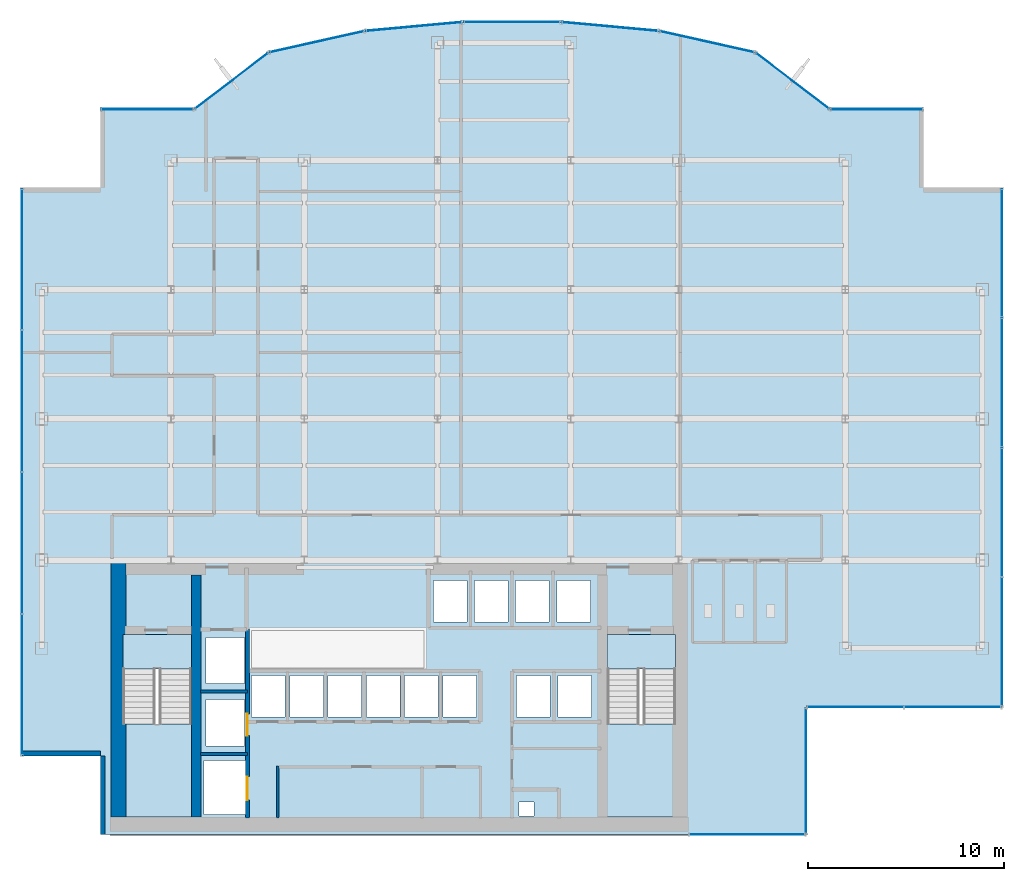
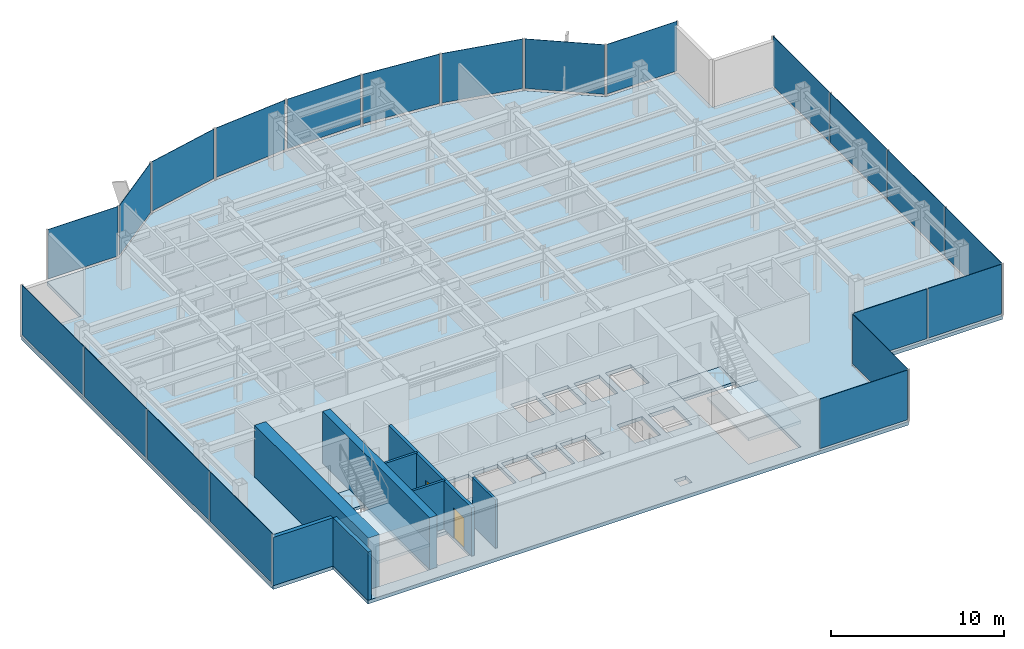
# One storey, part 19 of 25: 21 plates, 8 walls, 5 slabs, 2 doors, 2 openings, 16 elements without a shape of their own.
"""IFC4 building model written with IfcOpenShell, lengths in metres."""

from ifc_helpers import new_model, si_unit, derived_unit, direction, frame, frame_2d, origin, origin_2d, place, context, subcontext, project, spatial, polyline, rectangle, outline, extrude, source, transform, mapped, material, layer, layer_set, type_object, element, fill, aggregate, save


model = new_model("IFC4")

# Units and contexts
model_context = context("Model", 3, precision=1e-05, world=origin(), true_north=direction((0.0, 1.0)))
body_context = subcontext(model_context, "Body", "Model", "MODEL_VIEW")
ifc_project = project(units=[si_unit("LENGTHUNIT", "METRE"), si_unit("AREAUNIT", "SQUARE_METRE"), si_unit("VOLUMEUNIT", "CUBIC_METRE"), si_unit("PLANEANGLEUNIT", "RADIAN"), si_unit("MASSUNIT", "GRAM", prefix="KILO"), derived_unit("THERMALTRANSMITTANCEUNIT", [(si_unit("POWERUNIT", "WATT"), 1), (si_unit("LENGTHUNIT", "METRE"), -2), (si_unit("THERMODYNAMICTEMPERATUREUNIT", "KELVIN"), -1)])], contexts=[model_context])

# Site, building, storey
site_placement = place(None, origin())
site = spatial("IfcSite", under=ifc_project, at=site_placement, CompositionType="ELEMENT")
building_placement = place(site_placement, origin())
building = spatial("IfcBuilding", under=site, at=building_placement, Name="Skarnbrae Concourse Arena and Tower", CompositionType="ELEMENT")
storey_placement = place(building_placement, frame((0.0, 0.0, 155.199951171875)))
storey = spatial("IfcBuildingStorey", under=building, at=storey_placement, Name="L39", CompositionType="ELEMENT", Elevation=155.199951171875)

# Stair, slab
ifc_material_1 = material(Name="Concrete 40 MPa (C40/50)", Category="concrete")
stair_type = type_object("IfcStairType", Name="STAIR-DOGLEG-1650", PredefinedType="HALF_TURN_STAIR", material=ifc_material_1)
stair_1_placement = place(storey_placement, origin())
stair_1 = element("IfcStair", 1, at=stair_1_placement, inside=storey, type_object=stair_type, Name="L39 Protected Exit Stair ST-1", PredefinedType="HALF_TURN_STAIR")
ifc_layer_1 = layer(ifc_material_1, 0.199951171875)
ifc_layer_set_1 = layer_set([ifc_layer_1], Name="Concrete 40 MPa (C40/50)")
slab_type_1 = type_object("IfcSlabType", Name="SLAB-LANDING-200", PredefinedType="LANDING", material=ifc_layer_set_1)
slab_1_placement = place(storey_placement, frame((0.0, 0.0, 1.625)))
slab_1 = element("IfcSlab", 2, at=slab_1_placement, type_object=slab_type_1, Name="ST-1 landing 1", PredefinedType="LANDING", context=body_context, shape_type="SweptSolid", body=[
    extrude(outline(polyline([(5.14990234375, 5.64990234375), (5.14990234375, 0.89990234375), (8.64990234375, 0.89990234375), (8.64990234375, 5.64990234375), (5.14990234375, 5.64990234375)])), origin(), (0.0, 0.0, 1.0), 0.199951171875),
])
aggregate(stair_1, [slab_1])

stair_2_placement = place(storey_placement, origin())
stair_2 = element("IfcStair", 3, at=stair_2_placement, inside=storey, type_object=stair_type, Name="L39 Protected Exit Stair ST-2", PredefinedType="HALF_TURN_STAIR")
slab_2_placement = place(storey_placement, frame((0.0, 0.0, 1.625)))
slab_2 = element("IfcSlab", 4, at=slab_2_placement, type_object=slab_type_1, Name="ST-2 landing 1", PredefinedType="LANDING", context=body_context, shape_type="SweptSolid", body=[
    extrude(outline(polyline([(29.85009765625, 5.64990234375), (29.85009765625, 0.89990234375), (33.35009765625, 0.89990234375), (33.35009765625, 5.64990234375), (29.85009765625, 5.64990234375)])), origin(), (0.0, 0.0, 1.0), 0.199951171875),
])
aggregate(stair_2, [slab_2])

# Slabs
slab_3_placement = place(storey_placement, frame((0.0, 0.0, -0.199951171875)))
element("IfcSlab", 5, at=slab_3_placement, inside=storey, type_object=slab_type_1, Name="L39 Core stair ST1 floor landing", PredefinedType="LANDING", context=body_context, shape_type="SweptSolid", body=[
    extrude(outline(polyline([(5.14990234375, 10.199951171875), (5.14990234375, 8.449951171875), (8.64990234375, 8.449951171875), (8.64990234375, 10.199951171875), (5.14990234375, 10.199951171875)])), origin(), (0.0, 0.0, 1.0), 0.199951171875),
])
slab_4_placement = place(storey_placement, frame((0.0, 0.0, -0.199951171875)))
element("IfcSlab", 6, at=slab_4_placement, inside=storey, type_object=slab_type_1, Name="L39 Core stair ST2 floor landing", PredefinedType="LANDING", context=body_context, shape_type="SweptSolid", body=[
    extrude(outline(polyline([(29.85009765625, 10.199951171875), (29.85009765625, 8.449951171875), (33.35009765625, 8.449951171875), (33.35009765625, 10.199951171875), (29.85009765625, 10.199951171875)])), origin(), (0.0, 0.0, 1.0), 0.199951171875),
])
ifc_layer_2 = layer(ifc_material_1, 0.25)
ifc_layer_set_2 = layer_set([ifc_layer_2], Name="Concrete 40 MPa (C40/50)")
slab_type_2 = type_object("IfcSlabType", Name="SLAB-TOWER-250", PredefinedType="FLOOR", material=ifc_layer_set_2)
slab_5_placement = place(storey_placement, frame((0.0, 0.0, -0.25)))
element("IfcSlab", 7, at=slab_5_placement, inside=storey, type_object=slab_type_2, Name="L39 Structural floor slab", PredefinedType="FLOOR", context=body_context, shape_type="SweptSolid", body=[
    extrude(outline(polyline([(4.0, 0.0), (40.0, 0.0), (40.0, 6.5), (50.0, 6.5), (50.0, 33.0), (46.0, 33.0), (46.0, 37.0), (41.199951171875, 37.0), (37.409423828125, 39.892578125), (32.51220703125, 40.98681640625), (27.51123046875, 41.445556640625), (22.48876953125, 41.445556640625), (17.48779296875, 40.98681640625), (12.590576171875, 39.892578125), (8.800048828125, 37.0), (4.0, 37.0), (4.0, 33.0), (0.0, 33.0), (0.0, 4.0), (4.0, 4.0), (4.0, 0.0)]), holes=[polyline([(9.294921875, 3.780029296875), (11.455078125, 3.780029296875), (11.455078125, 1.02001953125), (9.294921875, 1.02001953125), (9.294921875, 3.780029296875)]), polyline([(8.64990234375, 10.199951171875), (8.64990234375, 0.89990234375), (5.14990234375, 0.89990234375), (5.14990234375, 10.199951171875), (8.64990234375, 10.199951171875)]), polyline([(9.39501953125, 6.8798828125), (11.35498046875, 6.8798828125), (11.35498046875, 4.52001953125), (9.39501953125, 4.52001953125), (9.39501953125, 6.8798828125)]), polyline([(11.719970703125, 8.10498046875), (13.429931640625, 8.10498046875), (13.429931640625, 5.9951171875), (11.719970703125, 5.9951171875), (11.719970703125, 8.10498046875)]), polyline([(13.669921875, 8.10498046875), (15.3798828125, 8.10498046875), (15.3798828125, 5.9951171875), (13.669921875, 5.9951171875), (13.669921875, 8.10498046875)]), polyline([(15.6201171875, 8.10498046875), (17.330078125, 8.10498046875), (17.330078125, 5.9951171875), (15.6201171875, 5.9951171875), (15.6201171875, 8.10498046875)]), polyline([(17.570068359375, 8.10498046875), (19.280029296875, 8.10498046875), (19.280029296875, 5.9951171875), (17.570068359375, 5.9951171875), (17.570068359375, 8.10498046875)]), polyline([(21.22998046875, 8.10498046875), (21.22998046875, 5.9951171875), (19.52001953125, 5.9951171875), (19.52001953125, 8.10498046875), (21.22998046875, 8.10498046875)]), polyline([(11.35498046875, 10.054931640625), (11.35498046875, 7.695068359375), (9.39501953125, 7.695068359375), (9.39501953125, 10.054931640625), (11.35498046875, 10.054931640625)]), polyline([(25.35009765625, 1.669921875), (26.1201171875, 1.669921875), (26.1201171875, 0.949951171875), (25.35009765625, 0.949951171875), (25.35009765625, 1.669921875)]), polyline([(33.35009765625, 10.199951171875), (33.35009765625, 0.89990234375), (29.85009765625, 0.89990234375), (29.85009765625, 10.199951171875), (33.35009765625, 10.199951171875)]), polyline([(21.469970703125, 8.10498046875), (23.179931640625, 8.10498046875), (23.179931640625, 5.9951171875), (21.469970703125, 5.9951171875), (21.469970703125, 8.10498046875)]), polyline([(25.235107421875, 8.10498046875), (26.945068359375, 8.10498046875), (26.945068359375, 5.9951171875), (25.235107421875, 5.9951171875), (25.235107421875, 8.10498046875)]), polyline([(27.3349609375, 8.10498046875), (29.044921875, 8.10498046875), (29.044921875, 5.9951171875), (27.3349609375, 5.9951171875), (27.3349609375, 8.10498046875)]), polyline([(20.985107421875, 12.955078125), (22.695068359375, 12.955078125), (22.695068359375, 10.844970703125), (20.985107421875, 10.844970703125), (20.985107421875, 12.955078125)]), polyline([(23.0849609375, 12.955078125), (24.794921875, 12.955078125), (24.794921875, 10.844970703125), (23.0849609375, 10.844970703125), (23.0849609375, 12.955078125)]), polyline([(26.89501953125, 12.955078125), (26.89501953125, 10.844970703125), (25.18505859375, 10.844970703125), (25.18505859375, 12.955078125), (26.89501953125, 12.955078125)]), polyline([(28.9951171875, 12.955078125), (28.9951171875, 10.844970703125), (27.284912109375, 10.844970703125), (27.284912109375, 12.955078125), (28.9951171875, 12.955078125)])]), origin(), (0.0, 0.0, 1.0), 0.25),
])

# Curtain wall, plates
ifc_material_2 = material(Name="Bronze anodised aluminium 6063-T6", Category="aluminium")
curtain_wall_type_1 = type_object("IfcCurtainWallType", Name="CW-SYS-04-MIDZONE", PredefinedType="USERDEFINED", material=ifc_material_2)
curtain_wall_1_placement = place(storey_placement, origin())
curtain_wall_1 = element("IfcCurtainWall", 8, at=curtain_wall_1_placement, inside=storey, type_object=curtain_wall_type_1, Name="L39 Unitised curtain wall CW-L39-E03", ObjectType="UNITISED CURTAIN WALL", PredefinedType="USERDEFINED")
ifc_material_3 = material(Name="Low-E triple insulating glass", Category="glass")
ifc_layer_3 = layer(ifc_material_3, 0.031982421875)
ifc_layer_set_3 = layer_set([ifc_layer_3], Name="Low-E triple insulating glass")
plate_type_1 = type_object("IfcPlateType", Name="CWP-CW-04", PredefinedType="CURTAIN_PANEL", material=ifc_layer_set_3)
shared_shape_1 = source(origin(), body_context, "Body", "SweptSolid", [
    extrude(rectangle(XDim=4.887451171875, YDim=0.031982421875, at=origin_2d()), origin(), (0.0, 0.0, 1.0), 3.489990234375),
])
plate_1_placement = place(storey_placement, frame((42.518798828125, 6.5, 0.16015625), z_axis=(0.0, 0.0, 1.0), x_axis=(1.0, 0.0, 0.0)))
plate_1 = element("IfcPlate", 9, at=plate_1_placement, type_object=plate_type_1, Name="CW-L39-E03 Low-E Glazing Panel 1", PredefinedType="CURTAIN_PANEL", context=body_context, shape_type="MappedRepresentation", body=[
    mapped(shared_shape_1, transform((0.0, 0.0, 0.0))),
])
plate_2_placement = place(storey_placement, frame((47.481201171875, 6.5, 0.16015625), z_axis=(0.0, 0.0, 1.0), x_axis=(1.0, 0.0, 0.0)))
plate_2 = element("IfcPlate", 10, at=plate_2_placement, type_object=plate_type_1, Name="CW-L39-E03 Low-E Glazing Panel 2", PredefinedType="CURTAIN_PANEL", context=body_context, shape_type="MappedRepresentation", body=[
    mapped(shared_shape_1, transform((0.0, 0.0, 0.0))),
])
aggregate(curtain_wall_1, [plate_1, plate_2])

# Curtain wall, plate
curtain_wall_2_placement = place(storey_placement, origin())
curtain_wall_2 = element("IfcCurtainWall", 11, at=curtain_wall_2_placement, inside=storey, type_object=curtain_wall_type_1, Name="L39 Unitised curtain wall CW-L39-SE-SPINE", ObjectType="UNITISED CURTAIN WALL", PredefinedType="USERDEFINED")
shared_shape_2 = source(origin(), body_context, "Body", "SweptSolid", [
    extrude(rectangle(XDim=5.85009765625, YDim=0.031982421875, at=origin_2d()), origin(), (0.0, 0.0, 1.0), 3.489990234375),
])
plate_3_placement = place(storey_placement, frame((37.0, 0.0, 0.16015625), z_axis=(0.0, 0.0, 1.0), x_axis=(1.0, 0.0, 0.0)))
plate_3 = element("IfcPlate", 12, at=plate_3_placement, type_object=plate_type_1, Name="CW-L39-SE-SPINE Low-E Glazing Panel 1", PredefinedType="CURTAIN_PANEL", context=body_context, shape_type="MappedRepresentation", body=[
    mapped(shared_shape_2, transform((0.0, 0.0, 0.0))),
])
aggregate(curtain_wall_2, [plate_3])

curtain_wall_3_placement = place(storey_placement, origin())
curtain_wall_3 = element("IfcCurtainWall", 13, at=curtain_wall_3_placement, inside=storey, type_object=curtain_wall_type_1, Name="L39 Unitised curtain wall CW-L39-E02", ObjectType="UNITISED CURTAIN WALL", PredefinedType="USERDEFINED")
shared_shape_3 = source(origin(), body_context, "Body", "SweptSolid", [
    extrude(rectangle(XDim=6.35009765625, YDim=0.031982421875, at=origin_2d()), origin(), (0.0, 0.0, 1.0), 3.489990234375),
])
plate_4_placement = place(storey_placement, frame((40.0, 3.25, 0.16015625), z_axis=(0.0, 0.0, 1.0), x_axis=(0.0, 1.0, 0.0)))
plate_4 = element("IfcPlate", 14, at=plate_4_placement, type_object=plate_type_1, Name="CW-L39-E02 Low-E Glazing Panel 1", PredefinedType="CURTAIN_PANEL", context=body_context, shape_type="MappedRepresentation", body=[
    mapped(shared_shape_3, transform((0.0, 0.0, 0.0))),
])
aggregate(curtain_wall_3, [plate_4])

curtain_wall_4_placement = place(storey_placement, origin())
curtain_wall_4 = element("IfcCurtainWall", 15, at=curtain_wall_4_placement, inside=storey, type_object=curtain_wall_type_1, Name="L39 Unitised curtain wall CW-L39-E07", ObjectType="UNITISED CURTAIN WALL", PredefinedType="USERDEFINED")
shared_shape_4 = source(origin(), body_context, "Body", "SweptSolid", [
    extrude(rectangle(XDim=4.64990234375, YDim=0.031982421875, at=origin_2d()), origin(), (0.0, 0.0, 1.0), 3.489990234375),
])
plate_5_placement = place(storey_placement, frame((43.60009765625, 37.0, 0.16015625), z_axis=(0.0, 0.0, 1.0), x_axis=(-1.0, 0.0, 0.0)))
plate_5 = element("IfcPlate", 16, at=plate_5_placement, type_object=plate_type_1, Name="CW-L39-E07 Low-E Glazing Panel 1", PredefinedType="CURTAIN_PANEL", context=body_context, shape_type="MappedRepresentation", body=[
    mapped(shared_shape_4, transform((0.0, 0.0, 0.0))),
])
aggregate(curtain_wall_4, [plate_5])

curtain_wall_5_placement = place(storey_placement, origin())
curtain_wall_5 = element("IfcCurtainWall", 17, at=curtain_wall_5_placement, inside=storey, type_object=curtain_wall_type_1, Name="L39 Unitised curtain wall CW-L39-E15", ObjectType="UNITISED CURTAIN WALL", PredefinedType="USERDEFINED")
plate_6_placement = place(storey_placement, frame((6.39990234375, 37.0, 0.16015625), z_axis=(0.0, 0.0, 1.0), x_axis=(-1.0, 0.0, 0.0)))
plate_6 = element("IfcPlate", 18, at=plate_6_placement, type_object=plate_type_1, Name="CW-L39-E15 Low-E Glazing Panel 1", PredefinedType="CURTAIN_PANEL", context=body_context, shape_type="MappedRepresentation", body=[
    mapped(shared_shape_4, transform((0.0, 0.0, 0.0))),
])
aggregate(curtain_wall_5, [plate_6])

curtain_wall_6_placement = place(storey_placement, origin())
curtain_wall_6 = element("IfcCurtainWall", 19, at=curtain_wall_6_placement, inside=storey, type_object=curtain_wall_type_1, Name="L39 Unitised curtain wall CW-L39-E08", ObjectType="UNITISED CURTAIN WALL", PredefinedType="USERDEFINED")
shared_shape_5 = source(origin(), body_context, "Body", "SweptSolid", [
    extrude(rectangle(XDim=4.6181640625, YDim=0.031982421875, at=origin_2d()), origin(), (0.0, 0.0, 1.0), 3.489990234375),
])
plate_7_placement = place(storey_placement, frame((39.3046875, 38.4462890625, 0.16015625), z_axis=(0.0, 0.0, 1.0), x_axis=(-0.794956000706, 0.606667089054, 0.0)))
plate_7 = element("IfcPlate", 20, at=plate_7_placement, type_object=plate_type_1, Name="CW-L39-E08 Low-E Glazing Panel 1", PredefinedType="CURTAIN_PANEL", context=body_context, shape_type="MappedRepresentation", body=[
    mapped(shared_shape_5, transform((0.0, 0.0, 0.0))),
])
aggregate(curtain_wall_6, [plate_7])

curtain_wall_7_placement = place(storey_placement, origin())
curtain_wall_7 = element("IfcCurtainWall", 21, at=curtain_wall_7_placement, inside=storey, type_object=curtain_wall_type_1, Name="L39 Unitised curtain wall CW-L39-E14", ObjectType="UNITISED CURTAIN WALL", PredefinedType="USERDEFINED")
plate_8_placement = place(storey_placement, frame((10.6953125, 38.4462890625, 0.16015625), z_axis=(0.0, 0.0, 1.0), x_axis=(-0.794956000706, -0.606667089054, 0.0)))
plate_8 = element("IfcPlate", 22, at=plate_8_placement, type_object=plate_type_1, Name="CW-L39-E14 Low-E Glazing Panel 1", PredefinedType="CURTAIN_PANEL", context=body_context, shape_type="MappedRepresentation", body=[
    mapped(shared_shape_5, transform((0.0, 0.0, 0.0))),
])
aggregate(curtain_wall_7, [plate_8])

# Curtain wall, plates
curtain_wall_8_placement = place(storey_placement, origin())
curtain_wall_8 = element("IfcCurtainWall", 23, at=curtain_wall_8_placement, inside=storey, type_object=curtain_wall_type_1, Name="L39 Unitised curtain wall CW-L39-E18", ObjectType="UNITISED CURTAIN WALL", PredefinedType="USERDEFINED")
shared_shape_6 = source(origin(), body_context, "Body", "SweptSolid", [
    extrude(rectangle(XDim=7.137451171875, YDim=0.031982421875, at=origin_2d()), origin(), (0.0, 0.0, 1.0), 3.489990234375),
])
plate_9_placement = place(storey_placement, frame((0.0, 29.356201171875, 0.16015625), z_axis=(0.0, 0.0, 1.0), x_axis=(0.0, -1.0, 0.0)))
plate_9 = element("IfcPlate", 24, at=plate_9_placement, type_object=plate_type_1, Name="CW-L39-E18 Low-E Glazing Panel 1", PredefinedType="CURTAIN_PANEL", context=body_context, shape_type="MappedRepresentation", body=[
    mapped(shared_shape_6, transform((0.0, 0.0, 0.0))),
])
plate_10_placement = place(storey_placement, frame((0.0, 7.643798828125, 0.16015625), z_axis=(0.0, 0.0, 1.0), x_axis=(0.0, -1.0, 0.0)))
plate_10 = element("IfcPlate", 25, at=plate_10_placement, type_object=plate_type_1, Name="CW-L39-E18 Low-E Glazing Panel 4", PredefinedType="CURTAIN_PANEL", context=body_context, shape_type="MappedRepresentation", body=[
    mapped(shared_shape_6, transform((0.0, 0.0, 0.0))),
])
shared_shape_7 = source(origin(), body_context, "Body", "SweptSolid", [
    extrude(rectangle(XDim=7.175048828125, YDim=0.031982421875, at=origin_2d()), origin(), (0.0, 0.0, 1.0), 3.489990234375),
])
plate_11_placement = place(storey_placement, frame((0.0, 22.125, 0.16015625), z_axis=(0.0, 0.0, 1.0), x_axis=(0.0, -1.0, 0.0)))
plate_11 = element("IfcPlate", 26, at=plate_11_placement, type_object=plate_type_1, Name="CW-L39-E18 Low-E Glazing Panel 2", PredefinedType="CURTAIN_PANEL", context=body_context, shape_type="MappedRepresentation", body=[
    mapped(shared_shape_7, transform((0.0, 0.0, 0.0))),
])
plate_12_placement = place(storey_placement, frame((0.0, 14.875, 0.16015625), z_axis=(0.0, 0.0, 1.0), x_axis=(0.0, -1.0, 0.0)))
plate_12 = element("IfcPlate", 27, at=plate_12_placement, type_object=plate_type_1, Name="CW-L39-E18 Low-E Glazing Panel 3", PredefinedType="CURTAIN_PANEL", context=body_context, shape_type="MappedRepresentation", body=[
    mapped(shared_shape_7, transform((0.0, 0.0, 0.0))),
])
aggregate(curtain_wall_8, [plate_9, plate_11, plate_12, plate_10])

curtain_wall_9_placement = place(storey_placement, origin())
curtain_wall_9 = element("IfcCurtainWall", 28, at=curtain_wall_9_placement, inside=storey, type_object=curtain_wall_type_1, Name="L39 Unitised curtain wall CW-L39-E04", ObjectType="UNITISED CURTAIN WALL", PredefinedType="USERDEFINED")
shared_shape_8 = source(origin(), body_context, "Body", "SweptSolid", [
    extrude(rectangle(XDim=6.512451171875, YDim=0.031982421875, at=origin_2d()), origin(), (0.0, 0.0, 1.0), 3.489990234375),
])
plate_13_placement = place(storey_placement, frame((50.0, 9.831298828125, 0.16015625), z_axis=(0.0, 0.0, 1.0), x_axis=(0.0, 1.0, 0.0)))
plate_13 = element("IfcPlate", 29, at=plate_13_placement, type_object=plate_type_1, Name="CW-L39-E04 Low-E Glazing Panel 1", PredefinedType="CURTAIN_PANEL", context=body_context, shape_type="MappedRepresentation", body=[
    mapped(shared_shape_8, transform((0.0, 0.0, 0.0))),
])
plate_14_placement = place(storey_placement, frame((50.0, 29.668701171875, 0.16015625), z_axis=(0.0, 0.0, 1.0), x_axis=(0.0, 1.0, 0.0)))
plate_14 = element("IfcPlate", 30, at=plate_14_placement, type_object=plate_type_1, Name="CW-L39-E04 Low-E Glazing Panel 4", PredefinedType="CURTAIN_PANEL", context=body_context, shape_type="MappedRepresentation", body=[
    mapped(shared_shape_8, transform((0.0, 0.0, 0.0))),
])
shared_shape_9 = source(origin(), body_context, "Body", "SweptSolid", [
    extrude(rectangle(XDim=6.550048828125, YDim=0.031982421875, at=origin_2d()), origin(), (0.0, 0.0, 1.0), 3.489990234375),
])
plate_15_placement = place(storey_placement, frame((50.0, 16.4375, 0.16015625), z_axis=(0.0, 0.0, 1.0), x_axis=(0.0, 1.0, 0.0)))
plate_15 = element("IfcPlate", 31, at=plate_15_placement, type_object=plate_type_1, Name="CW-L39-E04 Low-E Glazing Panel 2", PredefinedType="CURTAIN_PANEL", context=body_context, shape_type="MappedRepresentation", body=[
    mapped(shared_shape_9, transform((0.0, 0.0, 0.0))),
])
plate_16_placement = place(storey_placement, frame((50.0, 23.0625, 0.16015625), z_axis=(0.0, 0.0, 1.0), x_axis=(0.0, 1.0, 0.0)))
plate_16 = element("IfcPlate", 32, at=plate_16_placement, type_object=plate_type_1, Name="CW-L39-E04 Low-E Glazing Panel 3", PredefinedType="CURTAIN_PANEL", context=body_context, shape_type="MappedRepresentation", body=[
    mapped(shared_shape_9, transform((0.0, 0.0, 0.0))),
])
aggregate(curtain_wall_9, [plate_13, plate_15, plate_16, plate_14])

# Curtain wall, plate
curtain_wall_type_2 = type_object("IfcCurtainWallType", Name="CW-SYS-03-PORTAL", PredefinedType="USERDEFINED", material=ifc_material_2)
curtain_wall_10_placement = place(storey_placement, origin())
curtain_wall_10 = element("IfcCurtainWall", 33, at=curtain_wall_10_placement, inside=storey, type_object=curtain_wall_type_2, Name="L39 Unitised curtain wall CW-L39-E09", ObjectType="UNITISED CURTAIN WALL", PredefinedType="USERDEFINED")
ifc_layer_4 = layer(ifc_material_3, 0.033935546875)
ifc_layer_set_4 = layer_set([ifc_layer_4], Name="Low-E triple insulating glass")
plate_type_2 = type_object("IfcPlateType", Name="CWP-CW-03", PredefinedType="CURTAIN_PANEL", material=ifc_layer_set_4)
shared_shape_10 = source(origin(), body_context, "Body", "SweptSolid", [
    extrude(rectangle(XDim=4.85791015625, YDim=0.033935546875, at=origin_2d()), origin(), (0.0, 0.0, 1.0), 3.47998046875),
])
plate_17_placement = place(storey_placement, frame((34.9609375, 40.439697265625, 0.170166015625), z_axis=(0.0, 0.0, 1.0), x_axis=(-0.975936175393, 0.218056372433, 0.0)))
plate_17 = element("IfcPlate", 34, at=plate_17_placement, type_object=plate_type_2, Name="CW-L39-E09 Low-E Glazing Panel 1", PredefinedType="CURTAIN_PANEL", context=body_context, shape_type="MappedRepresentation", body=[
    mapped(shared_shape_10, transform((0.0, 0.0, 0.0))),
])
aggregate(curtain_wall_10, [plate_17])

curtain_wall_11_placement = place(storey_placement, origin())
curtain_wall_11 = element("IfcCurtainWall", 35, at=curtain_wall_11_placement, inside=storey, type_object=curtain_wall_type_2, Name="L39 Unitised curtain wall CW-L39-E13", ObjectType="UNITISED CURTAIN WALL", PredefinedType="USERDEFINED")
plate_18_placement = place(storey_placement, frame((15.0390625, 40.439697265625, 0.170166015625), z_axis=(0.0, 0.0, 1.0), x_axis=(-0.975936175393, -0.218056372433, 0.0)))
plate_18 = element("IfcPlate", 36, at=plate_18_placement, type_object=plate_type_2, Name="CW-L39-E13 Low-E Glazing Panel 1", PredefinedType="CURTAIN_PANEL", context=body_context, shape_type="MappedRepresentation", body=[
    mapped(shared_shape_10, transform((0.0, 0.0, 0.0))),
])
aggregate(curtain_wall_11, [plate_18])

curtain_wall_12_placement = place(storey_placement, origin())
curtain_wall_12 = element("IfcCurtainWall", 37, at=curtain_wall_12_placement, inside=storey, type_object=curtain_wall_type_2, Name="L39 Unitised curtain wall CW-L39-E10", ObjectType="UNITISED CURTAIN WALL", PredefinedType="USERDEFINED")
shared_shape_11 = source(origin(), body_context, "Body", "SweptSolid", [
    extrude(rectangle(XDim=4.862060546875, YDim=0.033935546875, at=origin_2d()), origin(), (0.0, 0.0, 1.0), 3.47998046875),
])
plate_19_placement = place(storey_placement, frame((30.01171875, 41.21630859375, 0.170166015625), z_axis=(0.0, 0.0, 1.0), x_axis=(-0.995819926016, 0.091338244731, 0.0)))
plate_19 = element("IfcPlate", 38, at=plate_19_placement, type_object=plate_type_2, Name="CW-L39-E10 Low-E Glazing Panel 1", PredefinedType="CURTAIN_PANEL", context=body_context, shape_type="MappedRepresentation", body=[
    mapped(shared_shape_11, transform((0.0, 0.0, 0.0))),
])
aggregate(curtain_wall_12, [plate_19])

curtain_wall_13_placement = place(storey_placement, origin())
curtain_wall_13 = element("IfcCurtainWall", 39, at=curtain_wall_13_placement, inside=storey, type_object=curtain_wall_type_2, Name="L39 Unitised curtain wall CW-L39-E12", ObjectType="UNITISED CURTAIN WALL", PredefinedType="USERDEFINED")
plate_20_placement = place(storey_placement, frame((19.98828125, 41.21630859375, 0.170166015625), z_axis=(0.0, 0.0, 1.0), x_axis=(-0.995819926016, -0.091338244731, 0.0)))
plate_20 = element("IfcPlate", 40, at=plate_20_placement, type_object=plate_type_2, Name="CW-L39-E12 Low-E Glazing Panel 1", PredefinedType="CURTAIN_PANEL", context=body_context, shape_type="MappedRepresentation", body=[
    mapped(shared_shape_11, transform((0.0, 0.0, 0.0))),
])
aggregate(curtain_wall_13, [plate_20])

curtain_wall_14_placement = place(storey_placement, origin())
curtain_wall_14 = element("IfcCurtainWall", 41, at=curtain_wall_14_placement, inside=storey, type_object=curtain_wall_type_2, Name="L39 Unitised curtain wall CW-L39-E11", ObjectType="UNITISED CURTAIN WALL", PredefinedType="USERDEFINED")
shared_shape_12 = source(origin(), body_context, "Body", "SweptSolid", [
    extrude(rectangle(XDim=4.862548828125, YDim=0.033935546875, at=origin_2d()), origin(), (0.0, 0.0, 1.0), 3.47998046875),
])
plate_21_placement = place(storey_placement, frame((25.0, 41.445556640625, 0.170166015625), z_axis=(0.0, 0.0, 1.0), x_axis=(-1.0, 0.0, 0.0)))
plate_21 = element("IfcPlate", 42, at=plate_21_placement, type_object=plate_type_2, Name="CW-L39-E11 Low-E Glazing Panel 1", PredefinedType="CURTAIN_PANEL", context=body_context, shape_type="MappedRepresentation", body=[
    mapped(shared_shape_12, transform((0.0, 0.0, 0.0))),
])
aggregate(curtain_wall_14, [plate_21])

# Walls
ifc_material_4 = material(Name="Concrete 60 MPa (C60/75)", Category="concrete")
ifc_layer_5 = layer(ifc_material_4, 0.75)
ifc_layer_set_5 = layer_set([ifc_layer_5], Name="Concrete 60 MPa (C60/75)")
wall_type_1 = type_object("IfcWallType", Name="WALL-CORE-750-C60", PredefinedType="SHEAR", material=ifc_layer_set_5)
shared_shape_13 = source(origin(), body_context, "Body", "SweptSolid", [
    extrude(rectangle(XDim=13.10009765625, YDim=0.75, at=frame_2d((6.550048828125, 0.0))), origin(), (0.0, 0.0, 1.0), 3.650146484375),
])
wall_1_placement = place(storey_placement, frame((4.925048828125, 0.89990234375, 0.0), z_axis=(0.0, 0.0, 1.0), x_axis=(0.0, 1.0, 0.0)))
element("IfcWall", 43, at=wall_1_placement, inside=storey, type_object=wall_type_1, Name="L39 Rear core shear wall CW-W", PredefinedType="SHEAR", context=body_context, shape_type="MappedRepresentation", body=[
    mapped(shared_shape_13, transform((0.0, 0.0, 0.0))),
])
ifc_layer_6 = layer(ifc_material_4, 0.5)
ifc_layer_set_6 = layer_set([ifc_layer_6], Name="Concrete 60 MPa (C60/75)")
wall_type_2 = type_object("IfcWallType", Name="WALL-CORE-500-C60", PredefinedType="SHEAR", material=ifc_layer_set_6)
shared_shape_14 = source(origin(), body_context, "Body", "SweptSolid", [
    extrude(rectangle(XDim=12.35009765625, YDim=0.5, at=frame_2d((6.175048828125, 0.0))), origin(), (0.0, 0.0, 1.0), 3.650146484375),
])
wall_2_placement = place(storey_placement, frame((8.889892578125, 0.89990234375, 0.0), z_axis=(0.0, 0.0, 1.0), x_axis=(0.0, 1.0, 0.0)))
element("IfcWall", 44, at=wall_2_placement, inside=storey, type_object=wall_type_2, Name="L39 Rear core shear wall CW-WEB-W", PredefinedType="SHEAR", context=body_context, shape_type="MappedRepresentation", body=[
    mapped(shared_shape_14, transform((0.0, 0.0, 0.0))),
])
ifc_material_5 = material(Name="Precast concrete 40 MPa (C40/50)", Category="concrete")
ifc_layer_7 = layer(ifc_material_5, 0.25)
ifc_layer_set_7 = layer_set([ifc_layer_7], Name="Precast concrete 40 MPa (C40/50)")
wall_type_3 = type_object("IfcWallType", Name="WALL-EXT-SPANDREL-250", PredefinedType="STANDARD", material=ifc_layer_set_7)
shared_shape_15 = source(origin(), body_context, "Body", "SweptSolid", [
    extrude(rectangle(XDim=4.0, YDim=0.25, at=frame_2d((2.0, 0.0))), origin(), (0.0, 0.0, 1.0), 3.400146484375),
])
for number, where, z_axis, x_axis, name in (
    (45, (0.0, 4.125, 0.0), (0.0, 0.0, 1.0), (1.0, 0.0, 0.0), "L39 Notched corner insulated return wall 19"),
    (46, (4.125, 4.0, 0.0), (0.0, 0.0, 1.0), (0.0, -1.0, 0.0), "L39 Notched corner insulated return wall 20"),
):
    element("IfcWall", number, at=place(storey_placement, frame(where, z_axis=z_axis, x_axis=x_axis)), inside=storey, type_object=wall_type_3, Name=name, PredefinedType="STANDARD", context=body_context, shape_type="MappedRepresentation", body=[
        mapped(shared_shape_15, transform((0.0, 0.0, 0.0))),
    ])

# Wall, openings, doors
ifc_material_6 = material(Name="Gypsum board on cold-formed steel studs", Category="steel")
ifc_layer_8 = layer(ifc_material_6, 0.199951171875)
ifc_layer_set_8 = layer_set([ifc_layer_8], Name="Gypsum board on cold-formed steel studs")
wall_type_4 = type_object("IfcWallType", Name="WALL-PART-200-2HR", PredefinedType="PARTITIONING", material=ifc_layer_set_8)
shared_shape_16 = source(origin(), body_context, "Body", "SweptSolid", [
    extrude(rectangle(XDim=9.599853515625, YDim=0.199951171875, at=frame_2d((4.7998046875, 0.0))), origin(), (0.0, 0.0, 1.0), 3.400146484375),
])
wall_3_placement = place(storey_placement, frame((11.5, 0.85009765625, 0.0), z_axis=(0.0, 0.0, 1.0), x_axis=(0.0, 1.0, 0.0)))
wall_3 = element("IfcWall", 47, at=wall_3_placement, inside=storey, type_object=wall_type_4, Name="L39 Interior partition wall W-L39-FL-E", PredefinedType="PARTITIONING", context=body_context, shape_type="MappedRepresentation", body=[
    mapped(shared_shape_16, transform((0.0, 0.0, 0.0))),
])
opening_1_placement = place(wall_3_placement, frame((4.199951171875, 0.0, 0.0)))
opening_1 = element("IfcOpeningElement", 48, at=opening_1_placement, cuts=wall_3, Name="Opening LD-01", PredefinedType="OPENING", context=body_context, shape_type="SweptSolid", body=[
    extrude(rectangle(XDim=1.10009765625, YDim=2.14990234375, at=frame_2d((0.550048828125, 1.074951171875))), frame((0.0, 0.10986328125, 0.0), z_axis=(0.0, -1.0, 0.0), x_axis=(1.0, 0.0, 0.0)), (0.0, 0.0, 1.0), 0.219970703125),
])
opening_2_placement = place(wall_3_placement, frame((0.89990234375, 0.0, 0.0)))
opening_2 = element("IfcOpeningElement", 49, at=opening_2_placement, cuts=wall_3, Name="Opening LD-02", PredefinedType="OPENING", context=body_context, shape_type="SweptSolid", body=[
    extrude(rectangle(XDim=1.199951171875, YDim=2.14990234375, at=frame_2d((0.60009765625, 1.074951171875))), frame((0.0, 0.10986328125, 0.0), z_axis=(0.0, -1.0, 0.0), x_axis=(1.0, 0.0, 0.0)), (0.0, 0.0, 1.0), 0.219970703125),
])
ifc_material_7 = material(Name="Steel CSA G40.21 350W", Category="steel")
door_type_1 = type_object("IfcDoorType", Name="DOOR-LIFT-SLIDE-1100", OperationType="SLIDING_TO_LEFT", PredefinedType="DOOR", material=ifc_material_7)
shared_shape_17 = source(origin(), body_context, "Body", "SweptSolid", [
    extrude(rectangle(XDim=1.10009765625, YDim=2.14990234375, at=frame_2d((0.550048828125, 1.074951171875))), frame((0.0, 0.02490234375, 0.0), z_axis=(0.0, -1.0, 0.0), x_axis=(1.0, 0.0, 0.0)), (0.0, 0.0, 1.0), 0.050048828125),
])
door_1_placement = place(opening_1_placement, frame((1.10009765625, 0.0, 0.0), z_axis=(0.0, 0.0, 1.0), x_axis=(-1.0, 0.0, 0.0)))
door_1 = element("IfcDoor", 50, at=door_1_placement, inside=storey, type_object=door_type_1, Name="D-1213 Firefighting Lift Landing Door FL-02", OperationType="SLIDING_TO_LEFT", OverallHeight=2.14990234375, OverallWidth=1.10009765625, PredefinedType="DOOR", context=body_context, shape_type="MappedRepresentation", body=[
    mapped(shared_shape_17, transform((0.0, 0.0, 0.0))),
])
fill(opening_1, door_1)
door_type_2 = type_object("IfcDoorType", Name="DOOR-LIFT-SLIDE-1200", OperationType="SLIDING_TO_LEFT", PredefinedType="DOOR", material=ifc_material_7)
shared_shape_18 = source(origin(), body_context, "Body", "SweptSolid", [
    extrude(rectangle(XDim=1.199951171875, YDim=2.14990234375, at=frame_2d((0.60009765625, 1.074951171875))), frame((0.0, 0.02490234375, 0.0), z_axis=(0.0, -1.0, 0.0), x_axis=(1.0, 0.0, 0.0)), (0.0, 0.0, 1.0), 0.050048828125),
])
door_2_placement = place(opening_2_placement, frame((1.199951171875, 0.0, 0.0), z_axis=(0.0, 0.0, 1.0), x_axis=(-1.0, 0.0, 0.0)))
door_2 = element("IfcDoor", 51, at=door_2_placement, inside=storey, type_object=door_type_2, Name="D-1214 Service Lift Landing Door SV-01", OperationType="SLIDING_TO_LEFT", OverallHeight=2.14990234375, OverallWidth=1.199951171875, PredefinedType="DOOR", context=body_context, shape_type="MappedRepresentation", body=[
    mapped(shared_shape_18, transform((0.0, 0.0, 0.0))),
])
fill(opening_2, door_2)

# Walls
ifc_layer_9 = layer(ifc_material_6, 0.14990234375)
ifc_layer_set_9 = layer_set([ifc_layer_9], Name="Gypsum board on cold-formed steel studs")
wall_type_5 = type_object("IfcWallType", Name="WALL-PART-150", PredefinedType="PARTITIONING", material=ifc_layer_set_9)
shared_shape_19 = source(origin(), body_context, "Body", "SweptSolid", [
    extrude(rectangle(XDim=2.39990234375, YDim=0.14990234375, at=frame_2d((1.199951171875, 0.0))), origin(), (0.0, 0.0, 1.0), 3.400146484375),
])
for number, where, z_axis, x_axis, name in (
    (52, (9.10009765625, 4.10009765625, 0.0), (0.0, 0.0, 1.0), (1.0, 0.0, 0.0), "L39 Interior partition wall W-L39-FL-D1"),
    (53, (9.10009765625, 7.300048828125, 0.0), (0.0, 0.0, 1.0), (1.0, 0.0, 0.0), "L39 Interior partition wall W-L39-FL-D2"),
):
    element("IfcWall", number, at=place(storey_placement, frame(where, z_axis=z_axis, x_axis=x_axis)), inside=storey, type_object=wall_type_5, Name=name, PredefinedType="PARTITIONING", context=body_context, shape_type="MappedRepresentation", body=[
        mapped(shared_shape_19, transform((0.0, 0.0, 0.0))),
    ])
ifc_layer_10 = layer(ifc_material_6, 0.14990234375)
ifc_layer_set_10 = layer_set([ifc_layer_10], Name="Gypsum board on cold-formed steel studs")
wall_type_6 = type_object("IfcWallType", Name="WALL-PART-150-1HR", PredefinedType="PARTITIONING", material=ifc_layer_set_10)
shared_shape_20 = source(origin(), body_context, "Body", "SweptSolid", [
    extrude(rectangle(XDim=2.64990234375, YDim=0.14990234375, at=frame_2d((1.324951171875, 0.0))), origin(), (0.0, 0.0, 1.0), 3.400146484375),
])
wall_4_placement = place(storey_placement, frame((13.050048828125, 0.85009765625, 0.0), z_axis=(0.0, 0.0, 1.0), x_axis=(0.0, 1.0, 0.0)))
element("IfcWall", 54, at=wall_4_placement, inside=storey, type_object=wall_type_6, Name="L39 Interior partition wall W-L39-B1M-W", PredefinedType="PARTITIONING", context=body_context, shape_type="MappedRepresentation", body=[
    mapped(shared_shape_20, transform((0.0, 0.0, 0.0))),
])

save(model, "model.ifc")
